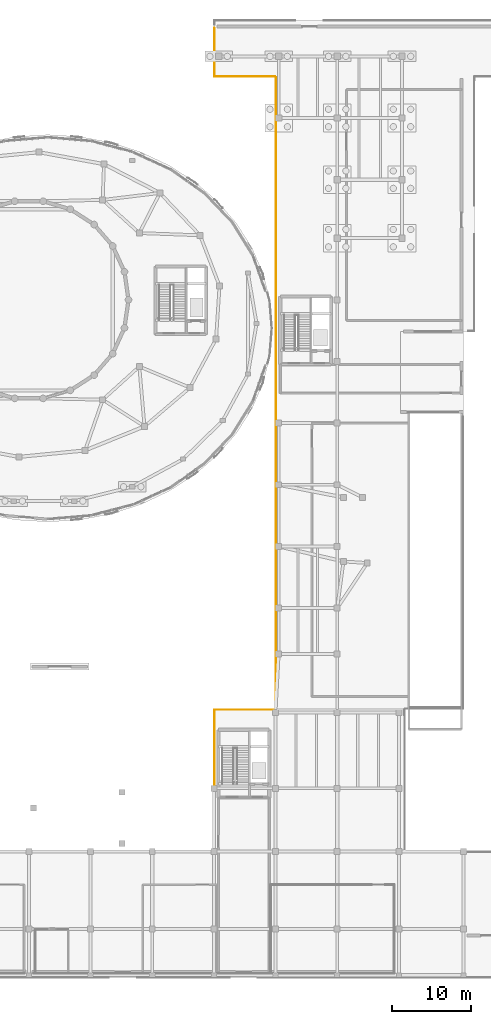
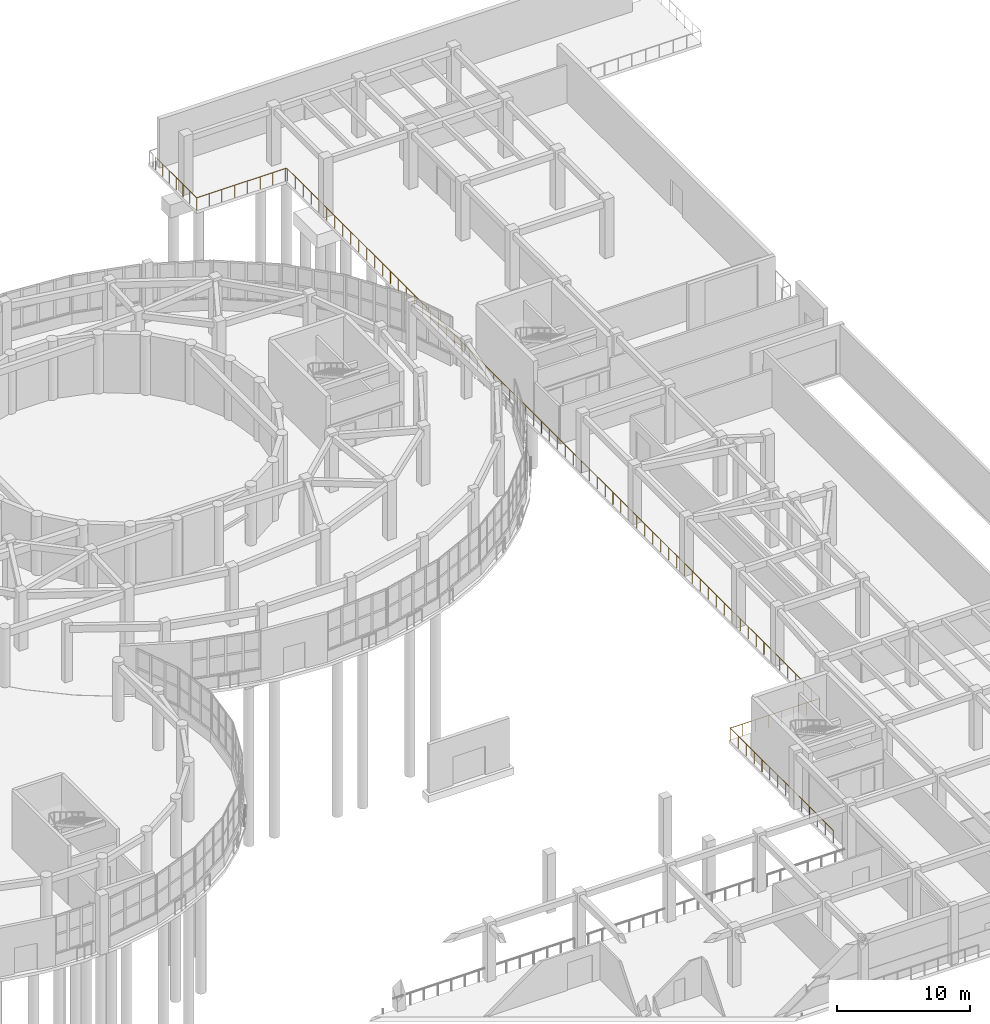
# One storey, part 93 of 96: 1 railing.
"""IFC4 building model written with IfcOpenShell, lengths in metres."""

from ifc_helpers import new_model, si_unit, direction, frame, origin, origin_2d, place, context, subcontext, project, spatial, circle, extrude, material, type_object, element, save


model = new_model("IFC4")

# Units and contexts
model_context = context("Model", 3, precision=1e-05, world=origin(), true_north=direction((0.0, 1.0)))
body_context = subcontext(model_context, "Body", "Model", "MODEL_VIEW")
ifc_project = project(units=[si_unit("LENGTHUNIT", "METRE"), si_unit("AREAUNIT", "SQUARE_METRE"), si_unit("VOLUMEUNIT", "CUBIC_METRE"), si_unit("PLANEANGLEUNIT", "RADIAN"), si_unit("MASSUNIT", "GRAM", prefix="KILO")], contexts=[model_context])

# Site, building, storey
site_placement = place(None, origin())
site = spatial("IfcSite", under=ifc_project, at=site_placement, CompositionType="ELEMENT")
building_placement = place(site_placement, origin())
building = spatial("IfcBuilding", under=site, at=building_placement, Name="Pelvatis Terrace Science Centre", CompositionType="ELEMENT")
storey_placement = place(building_placement, origin())
storey = spatial("IfcBuildingStorey", under=building, at=storey_placement, Name="L00", CompositionType="ELEMENT", Elevation=0.0)

# Railing
ifc_material = material(Name="Bronze-anodised aluminium and laminated safety glass balustrade", Category="aluminium")
railing_type = type_object("IfcRailingType", Name="RLG-BAL-1150", PredefinedType="BALUSTRADE", material=ifc_material)
railing_placement = place(storey_placement, frame((132.659912109375, 18.47509765625, 0.0)))
element("IfcRailing", 1, at=railing_placement, inside=storey, type_object=railing_type, Name="Perimeter edge balustrade RLG-EDG-L00-003", PredefinedType="BALUSTRADE", context=body_context, shape_type="SweptSolid", body=[
    extrude(circle(Radius=0.02392578125, at=origin_2d()), frame((0.0, 0.0, 1.1259765625), z_axis=(0.0, 1.0, 0.0), x_axis=(-1.0, 0.0, 0.0)), (0.0, 0.0, 1.0), 15.46484375),
    extrude(circle(Radius=0.02392578125, at=origin_2d()), frame((0.0, 15.46484375, 1.1259765625), z_axis=(1.0, 0.0, 0.0), x_axis=(0.0, 1.0, 0.0)), (0.0, 0.0, 1.0), 7.7001953125),
    extrude(circle(Radius=0.02392578125, at=origin_2d()), frame((7.7001953125, 15.46484375, 1.1259765625), z_axis=(0.706242876495, 0.707969631694, 0.0), x_axis=(-0.707969631694, 0.706242876495, 0.0)), (0.0, 0.0, 1.0), 0.141357421875),
    extrude(circle(Radius=0.02392578125, at=origin_2d()), frame((7.800048828125, 15.56494140625, 1.1259765625), z_axis=(-3.054554e-06, 0.999999999995, 0.0), x_axis=(-0.999999999995, -3.054554e-06, 0.0)), (0.0, 0.0, 1.0), 79.9267578125),
    extrude(circle(Radius=0.02392578125, at=origin_2d()), frame((7.7998046875, 95.49169921875, 1.1259765625), z_axis=(-0.729983412606, 0.683464861803, 0.0), x_axis=(-0.683464861803, -0.729983412606, 0.0)), (0.0, 0.0, 1.0), 0.136474609375),
    extrude(circle(Radius=0.02392578125, at=origin_2d()), frame((7.7001953125, 95.5849609375, 1.1259765625), z_axis=(-1.0, 0.0, 0.0), x_axis=(0.0, -1.0, 0.0)), (0.0, 0.0, 1.0), 7.7001953125),
    extrude(circle(Radius=0.02392578125, at=origin_2d()), frame((0.0, 95.5849609375, 1.1259765625), z_axis=(0.0, 1.0, 0.0), x_axis=(-1.0, 0.0, 0.0)), (0.0, 0.0, 1.0), 6.11083984375),
    extrude(circle(Radius=0.02099609375, at=origin_2d()), origin(), (0.0, 0.0, 1.0), 1.101806640625),
    extrude(circle(Radius=0.02099609375, at=origin_2d()), frame((0.0, 1.189697265625, 0.0)), (0.0, 0.0, 1.0), 1.101806640625),
    extrude(circle(Radius=0.02099609375, at=origin_2d()), frame((0.0, 2.379150390625, 0.0)), (0.0, 0.0, 1.0), 1.101806640625),
    extrude(circle(Radius=0.02099609375, at=origin_2d()), frame((0.0, 3.56884765625, 0.0)), (0.0, 0.0, 1.0), 1.101806640625),
    extrude(circle(Radius=0.02099609375, at=origin_2d()), frame((0.0, 4.75830078125, 0.0)), (0.0, 0.0, 1.0), 1.101806640625),
    extrude(circle(Radius=0.02099609375, at=origin_2d()), frame((0.0, 5.947998046875, 0.0)), (0.0, 0.0, 1.0), 1.101806640625),
    extrude(circle(Radius=0.02099609375, at=origin_2d()), frame((0.0, 7.1376953125, 0.0)), (0.0, 0.0, 1.0), 1.101806640625),
    extrude(circle(Radius=0.02099609375, at=origin_2d()), frame((0.0, 8.3271484375, 0.0)), (0.0, 0.0, 1.0), 1.101806640625),
    extrude(circle(Radius=0.02099609375, at=origin_2d()), frame((0.0, 9.516845703125, 0.0)), (0.0, 0.0, 1.0), 1.101806640625),
    extrude(circle(Radius=0.02099609375, at=origin_2d()), frame((0.0, 10.70654296875, 0.0)), (0.0, 0.0, 1.0), 1.101806640625),
    extrude(circle(Radius=0.02099609375, at=origin_2d()), frame((0.0, 11.89599609375, 0.0)), (0.0, 0.0, 1.0), 1.101806640625),
    extrude(circle(Radius=0.02099609375, at=origin_2d()), frame((0.0, 13.085693359375, 0.0)), (0.0, 0.0, 1.0), 1.101806640625),
    extrude(circle(Radius=0.02099609375, at=origin_2d()), frame((0.0, 14.275146484375, 0.0)), (0.0, 0.0, 1.0), 1.101806640625),
    extrude(circle(Radius=0.02099609375, at=origin_2d()), frame((0.0, 15.46484375, 0.0)), (0.0, 0.0, 1.0), 1.101806640625),
    extrude(circle(Radius=0.02099609375, at=origin_2d()), frame((1.10009765625, 15.46484375, 0.0)), (0.0, 0.0, 1.0), 1.101806640625),
    extrude(circle(Radius=0.02099609375, at=origin_2d()), frame((2.199951171875, 15.46484375, 0.0)), (0.0, 0.0, 1.0), 1.101806640625),
    extrude(circle(Radius=0.02099609375, at=origin_2d()), frame((3.300048828125, 15.46484375, 0.0)), (0.0, 0.0, 1.0), 1.101806640625),
    extrude(circle(Radius=0.02099609375, at=origin_2d()), frame((4.400146484375, 15.46484375, 0.0)), (0.0, 0.0, 1.0), 1.101806640625),
    extrude(circle(Radius=0.02099609375, at=origin_2d()), frame((5.500244140625, 15.46484375, 0.0)), (0.0, 0.0, 1.0), 1.101806640625),
    extrude(circle(Radius=0.02099609375, at=origin_2d()), frame((6.60009765625, 15.46484375, 0.0)), (0.0, 0.0, 1.0), 1.101806640625),
    extrude(circle(Radius=0.02099609375, at=origin_2d()), frame((7.7001953125, 15.46484375, 0.0)), (0.0, 0.0, 1.0), 1.101806640625),
    extrude(circle(Radius=0.02099609375, at=origin_2d()), frame((7.800048828125, 15.56494140625, 0.0)), (0.0, 0.0, 1.0), 1.101806640625),
    extrude(circle(Radius=0.02099609375, at=origin_2d()), frame((7.800048828125, 16.7578125, 0.0)), (0.0, 0.0, 1.0), 1.101806640625),
    extrude(circle(Radius=0.02099609375, at=origin_2d()), frame((7.800048828125, 17.950927734375, 0.0)), (0.0, 0.0, 1.0), 1.101806640625),
    extrude(circle(Radius=0.02099609375, at=origin_2d()), frame((7.800048828125, 19.143798828125, 0.0)), (0.0, 0.0, 1.0), 1.101806640625),
    extrude(circle(Radius=0.02099609375, at=origin_2d()), frame((7.800048828125, 20.336669921875, 0.0)), (0.0, 0.0, 1.0), 1.101806640625),
    extrude(circle(Radius=0.02099609375, at=origin_2d()), frame((7.800048828125, 21.529541015625, 0.0)), (0.0, 0.0, 1.0), 1.101806640625),
    extrude(circle(Radius=0.02099609375, at=origin_2d()), frame((7.800048828125, 22.72265625, 0.0)), (0.0, 0.0, 1.0), 1.101806640625),
    extrude(circle(Radius=0.02099609375, at=origin_2d()), frame((7.800048828125, 23.91552734375, 0.0)), (0.0, 0.0, 1.0), 1.101806640625),
    extrude(circle(Radius=0.02099609375, at=origin_2d()), frame((7.800048828125, 25.1083984375, 0.0)), (0.0, 0.0, 1.0), 1.101806640625),
    extrude(circle(Radius=0.02099609375, at=origin_2d()), frame((7.800048828125, 26.30126953125, 0.0)), (0.0, 0.0, 1.0), 1.101806640625),
    extrude(circle(Radius=0.02099609375, at=origin_2d()), frame((7.800048828125, 27.494384765625, 0.0)), (0.0, 0.0, 1.0), 1.101806640625),
    extrude(circle(Radius=0.02099609375, at=origin_2d()), frame((7.800048828125, 28.687255859375, 0.0)), (0.0, 0.0, 1.0), 1.101806640625),
    extrude(circle(Radius=0.02099609375, at=origin_2d()), frame((7.800048828125, 29.880126953125, 0.0)), (0.0, 0.0, 1.0), 1.101806640625),
    extrude(circle(Radius=0.02099609375, at=origin_2d()), frame((7.800048828125, 31.072998046875, 0.0)), (0.0, 0.0, 1.0), 1.101806640625),
    extrude(circle(Radius=0.02099609375, at=origin_2d()), frame((7.800048828125, 32.26611328125, 0.0)), (0.0, 0.0, 1.0), 1.101806640625),
    extrude(circle(Radius=0.02099609375, at=origin_2d()), frame((7.800048828125, 33.458984375, 0.0)), (0.0, 0.0, 1.0), 1.101806640625),
    extrude(circle(Radius=0.02099609375, at=origin_2d()), frame((7.800048828125, 34.65185546875, 0.0)), (0.0, 0.0, 1.0), 1.101806640625),
    extrude(circle(Radius=0.02099609375, at=origin_2d()), frame((7.800048828125, 35.844970703125, 0.0)), (0.0, 0.0, 1.0), 1.101806640625),
    extrude(circle(Radius=0.02099609375, at=origin_2d()), frame((7.800048828125, 37.037841796875, 0.0)), (0.0, 0.0, 1.0), 1.101806640625),
    extrude(circle(Radius=0.02099609375, at=origin_2d()), frame((7.800048828125, 38.230712890625, 0.0)), (0.0, 0.0, 1.0), 1.101806640625),
    extrude(circle(Radius=0.02099609375, at=origin_2d()), frame((7.800048828125, 39.423583984375, 0.0)), (0.0, 0.0, 1.0), 1.101806640625),
    extrude(circle(Radius=0.02099609375, at=origin_2d()), frame((7.800048828125, 40.61669921875, 0.0)), (0.0, 0.0, 1.0), 1.101806640625),
    extrude(circle(Radius=0.02099609375, at=origin_2d()), frame((7.800048828125, 41.8095703125, 0.0)), (0.0, 0.0, 1.0), 1.101806640625),
    extrude(circle(Radius=0.02099609375, at=origin_2d()), frame((7.800048828125, 43.00244140625, 0.0)), (0.0, 0.0, 1.0), 1.101806640625),
    extrude(circle(Radius=0.02099609375, at=origin_2d()), frame((7.800048828125, 44.1953125, 0.0)), (0.0, 0.0, 1.0), 1.101806640625),
    extrude(circle(Radius=0.02099609375, at=origin_2d()), frame((7.800048828125, 45.388427734375, 0.0)), (0.0, 0.0, 1.0), 1.101806640625),
    extrude(circle(Radius=0.02099609375, at=origin_2d()), frame((7.800048828125, 46.581298828125, 0.0)), (0.0, 0.0, 1.0), 1.101806640625),
    extrude(circle(Radius=0.02099609375, at=origin_2d()), frame((7.800048828125, 47.774169921875, 0.0)), (0.0, 0.0, 1.0), 1.101806640625),
    extrude(circle(Radius=0.02099609375, at=origin_2d()), frame((7.800048828125, 48.96728515625, 0.0)), (0.0, 0.0, 1.0), 1.101806640625),
    extrude(circle(Radius=0.02099609375, at=origin_2d()), frame((7.800048828125, 50.16015625, 0.0)), (0.0, 0.0, 1.0), 1.101806640625),
    extrude(circle(Radius=0.02099609375, at=origin_2d()), frame((7.800048828125, 51.35302734375, 0.0)), (0.0, 0.0, 1.0), 1.101806640625),
    extrude(circle(Radius=0.02099609375, at=origin_2d()), frame((7.800048828125, 52.5458984375, 0.0)), (0.0, 0.0, 1.0), 1.101806640625),
    extrude(circle(Radius=0.02099609375, at=origin_2d()), frame((7.800048828125, 53.739013671875, 0.0)), (0.0, 0.0, 1.0), 1.101806640625),
    extrude(circle(Radius=0.02099609375, at=origin_2d()), frame((7.800048828125, 54.931884765625, 0.0)), (0.0, 0.0, 1.0), 1.101806640625),
    extrude(circle(Radius=0.02099609375, at=origin_2d()), frame((7.7998046875, 56.124755859375, 0.0)), (0.0, 0.0, 1.0), 1.101806640625),
    extrude(circle(Radius=0.02099609375, at=origin_2d()), frame((7.7998046875, 57.317626953125, 0.0)), (0.0, 0.0, 1.0), 1.101806640625),
    extrude(circle(Radius=0.02099609375, at=origin_2d()), frame((7.7998046875, 58.5107421875, 0.0)), (0.0, 0.0, 1.0), 1.101806640625),
    extrude(circle(Radius=0.02099609375, at=origin_2d()), frame((7.7998046875, 59.70361328125, 0.0)), (0.0, 0.0, 1.0), 1.101806640625),
    extrude(circle(Radius=0.02099609375, at=origin_2d()), frame((7.7998046875, 60.896484375, 0.0)), (0.0, 0.0, 1.0), 1.101806640625),
    extrude(circle(Radius=0.02099609375, at=origin_2d()), frame((7.7998046875, 62.08935546875, 0.0)), (0.0, 0.0, 1.0), 1.101806640625),
    extrude(circle(Radius=0.02099609375, at=origin_2d()), frame((7.7998046875, 63.282470703125, 0.0)), (0.0, 0.0, 1.0), 1.101806640625),
    extrude(circle(Radius=0.02099609375, at=origin_2d()), frame((7.7998046875, 64.475341796875, 0.0)), (0.0, 0.0, 1.0), 1.101806640625),
    extrude(circle(Radius=0.02099609375, at=origin_2d()), frame((7.7998046875, 65.668212890625, 0.0)), (0.0, 0.0, 1.0), 1.101806640625),
    extrude(circle(Radius=0.02099609375, at=origin_2d()), frame((7.7998046875, 66.861328125, 0.0)), (0.0, 0.0, 1.0), 1.101806640625),
    extrude(circle(Radius=0.02099609375, at=origin_2d()), frame((7.7998046875, 68.05419921875, 0.0)), (0.0, 0.0, 1.0), 1.101806640625),
    extrude(circle(Radius=0.02099609375, at=origin_2d()), frame((7.7998046875, 69.2470703125, 0.0)), (0.0, 0.0, 1.0), 1.101806640625),
    extrude(circle(Radius=0.02099609375, at=origin_2d()), frame((7.7998046875, 70.43994140625, 0.0)), (0.0, 0.0, 1.0), 1.101806640625),
    extrude(circle(Radius=0.02099609375, at=origin_2d()), frame((7.7998046875, 71.633056640625, 0.0)), (0.0, 0.0, 1.0), 1.101806640625),
    extrude(circle(Radius=0.02099609375, at=origin_2d()), frame((7.7998046875, 72.825927734375, 0.0)), (0.0, 0.0, 1.0), 1.101806640625),
    extrude(circle(Radius=0.02099609375, at=origin_2d()), frame((7.7998046875, 74.018798828125, 0.0)), (0.0, 0.0, 1.0), 1.101806640625),
    extrude(circle(Radius=0.02099609375, at=origin_2d()), frame((7.7998046875, 75.211669921875, 0.0)), (0.0, 0.0, 1.0), 1.101806640625),
    extrude(circle(Radius=0.02099609375, at=origin_2d()), frame((7.7998046875, 76.40478515625, 0.0)), (0.0, 0.0, 1.0), 1.101806640625),
    extrude(circle(Radius=0.02099609375, at=origin_2d()), frame((7.7998046875, 77.59765625, 0.0)), (0.0, 0.0, 1.0), 1.101806640625),
    extrude(circle(Radius=0.02099609375, at=origin_2d()), frame((7.7998046875, 78.79052734375, 0.0)), (0.0, 0.0, 1.0), 1.101806640625),
    extrude(circle(Radius=0.02099609375, at=origin_2d()), frame((7.7998046875, 79.983642578125, 0.0)), (0.0, 0.0, 1.0), 1.101806640625),
    extrude(circle(Radius=0.02099609375, at=origin_2d()), frame((7.7998046875, 81.176513671875, 0.0)), (0.0, 0.0, 1.0), 1.101806640625),
    extrude(circle(Radius=0.02099609375, at=origin_2d()), frame((7.7998046875, 82.369384765625, 0.0)), (0.0, 0.0, 1.0), 1.101806640625),
    extrude(circle(Radius=0.02099609375, at=origin_2d()), frame((7.7998046875, 83.562255859375, 0.0)), (0.0, 0.0, 1.0), 1.101806640625),
    extrude(circle(Radius=0.02099609375, at=origin_2d()), frame((7.7998046875, 84.75537109375, 0.0)), (0.0, 0.0, 1.0), 1.101806640625),
    extrude(circle(Radius=0.02099609375, at=origin_2d()), frame((7.7998046875, 85.9482421875, 0.0)), (0.0, 0.0, 1.0), 1.101806640625),
    extrude(circle(Radius=0.02099609375, at=origin_2d()), frame((7.7998046875, 87.14111328125, 0.0)), (0.0, 0.0, 1.0), 1.101806640625),
    extrude(circle(Radius=0.02099609375, at=origin_2d()), frame((7.7998046875, 88.333984375, 0.0)), (0.0, 0.0, 1.0), 1.101806640625),
    extrude(circle(Radius=0.02099609375, at=origin_2d()), frame((7.7998046875, 89.527099609375, 0.0)), (0.0, 0.0, 1.0), 1.101806640625),
    extrude(circle(Radius=0.02099609375, at=origin_2d()), frame((7.7998046875, 90.719970703125, 0.0)), (0.0, 0.0, 1.0), 1.101806640625),
    extrude(circle(Radius=0.02099609375, at=origin_2d()), frame((7.7998046875, 91.912841796875, 0.0)), (0.0, 0.0, 1.0), 1.101806640625),
    extrude(circle(Radius=0.02099609375, at=origin_2d()), frame((7.7998046875, 93.105712890625, 0.0)), (0.0, 0.0, 1.0), 1.101806640625),
    extrude(circle(Radius=0.02099609375, at=origin_2d()), frame((7.7998046875, 94.298828125, 0.0)), (0.0, 0.0, 1.0), 1.101806640625),
    extrude(circle(Radius=0.02099609375, at=origin_2d()), frame((7.7998046875, 95.49169921875, 0.0)), (0.0, 0.0, 1.0), 1.101806640625),
    extrude(circle(Radius=0.02099609375, at=origin_2d()), frame((7.7001953125, 95.5849609375, 0.0)), (0.0, 0.0, 1.0), 1.101806640625),
    extrude(circle(Radius=0.02099609375, at=origin_2d()), frame((6.60009765625, 95.5849609375, 0.0)), (0.0, 0.0, 1.0), 1.101806640625),
    extrude(circle(Radius=0.02099609375, at=origin_2d()), frame((5.500244140625, 95.5849609375, 0.0)), (0.0, 0.0, 1.0), 1.101806640625),
    extrude(circle(Radius=0.02099609375, at=origin_2d()), frame((4.400146484375, 95.5849609375, 0.0)), (0.0, 0.0, 1.0), 1.101806640625),
    extrude(circle(Radius=0.02099609375, at=origin_2d()), frame((3.300048828125, 95.5849609375, 0.0)), (0.0, 0.0, 1.0), 1.101806640625),
    extrude(circle(Radius=0.02099609375, at=origin_2d()), frame((2.199951171875, 95.5849609375, 0.0)), (0.0, 0.0, 1.0), 1.101806640625),
    extrude(circle(Radius=0.02099609375, at=origin_2d()), frame((1.10009765625, 95.5849609375, 0.0)), (0.0, 0.0, 1.0), 1.101806640625),
    extrude(circle(Radius=0.02099609375, at=origin_2d()), frame((0.0, 95.5849609375, 0.0)), (0.0, 0.0, 1.0), 1.101806640625),
    extrude(circle(Radius=0.02099609375, at=origin_2d()), frame((0.0, 96.603515625, 0.0)), (0.0, 0.0, 1.0), 1.101806640625),
    extrude(circle(Radius=0.02099609375, at=origin_2d()), frame((0.0, 97.621826171875, 0.0)), (0.0, 0.0, 1.0), 1.101806640625),
    extrude(circle(Radius=0.02099609375, at=origin_2d()), frame((0.0, 98.640380859375, 0.0)), (0.0, 0.0, 1.0), 1.101806640625),
    extrude(circle(Radius=0.02099609375, at=origin_2d()), frame((0.0, 99.658935546875, 0.0)), (0.0, 0.0, 1.0), 1.101806640625),
    extrude(circle(Radius=0.02099609375, at=origin_2d()), frame((0.0, 100.67724609375, 0.0)), (0.0, 0.0, 1.0), 1.101806640625),
    extrude(circle(Radius=0.02099609375, at=origin_2d()), frame((0.0, 101.69580078125, 0.0)), (0.0, 0.0, 1.0), 1.101806640625),
])

save(model, "model.ifc")
